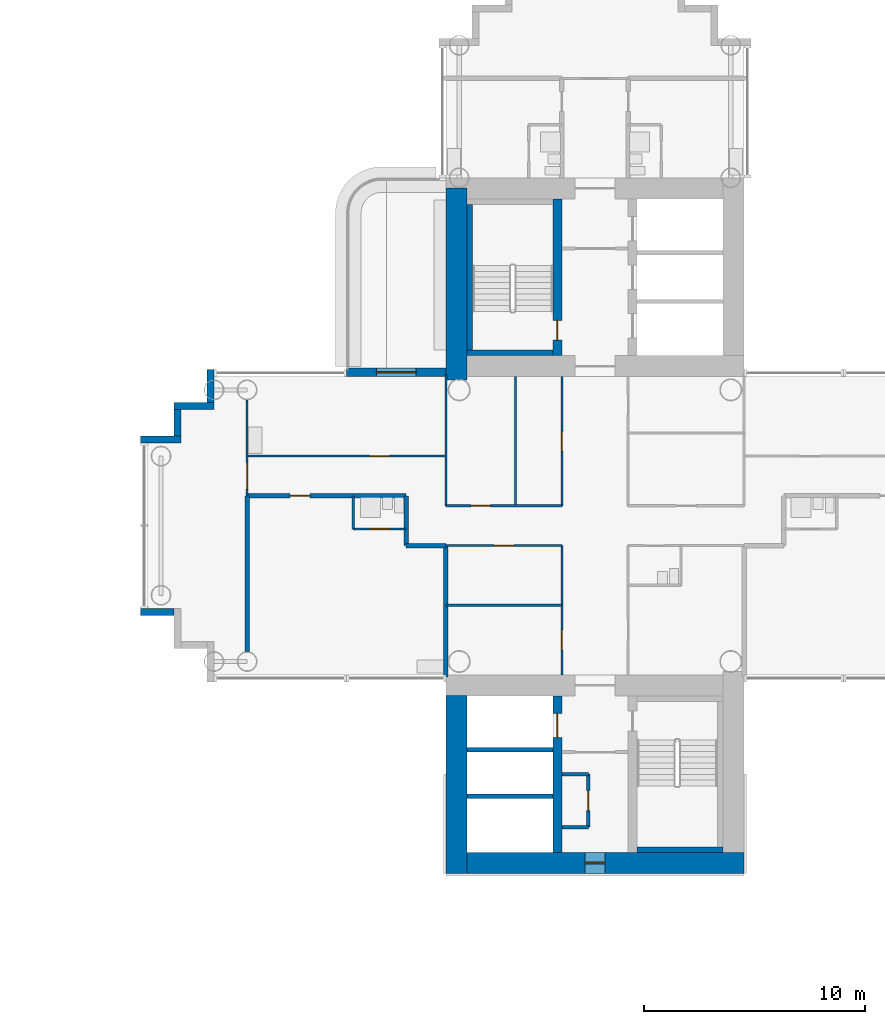
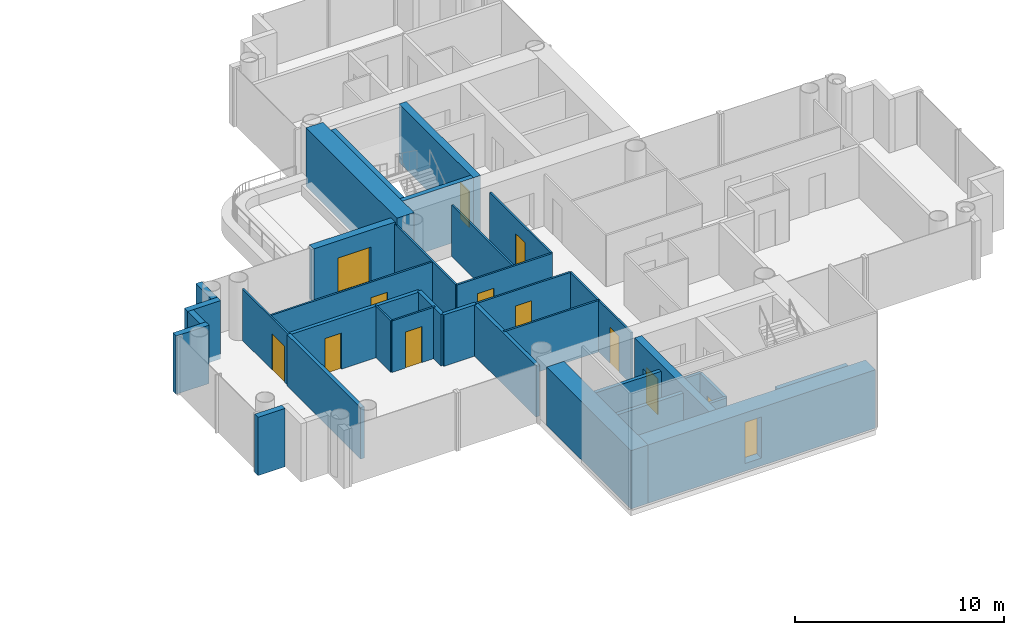
# One storey, part 12 of 21: 35 walls, 12 doors, 1 window, 13 openings.
"""IFC4 building model written with IfcOpenShell, lengths in metres."""

from ifc_helpers import new_model, si_unit, direction, frame, frame_2d, origin, place, context, subcontext, project, spatial, rectangle, extrude, material, layer, layer_set, type_object, element, fill, save


model = new_model("IFC4")

# Units and contexts
model_context = context("Model", 3, precision=1e-05, world=origin(), true_north=direction((0.0, 1.0)))
body_context = subcontext(model_context, "Body", "Model", "MODEL_VIEW")
ifc_project = project(units=[si_unit("LENGTHUNIT", "METRE"), si_unit("AREAUNIT", "SQUARE_METRE"), si_unit("VOLUMEUNIT", "CUBIC_METRE"), si_unit("PLANEANGLEUNIT", "RADIAN"), si_unit("MASSUNIT", "GRAM", prefix="KILO")], contexts=[model_context])

# Site, building, storey
site_placement = place(None, origin())
site = spatial("IfcSite", under=ifc_project, at=site_placement, CompositionType="ELEMENT")
building_placement = place(site_placement, origin())
building = spatial("IfcBuilding", under=site, at=building_placement, Name="Ipe Terrace Towers", CompositionType="ELEMENT")
storey_placement = place(building_placement, frame((0.0, 0.0, 103.800048828125)))
storey = spatial("IfcBuildingStorey", under=building, at=storey_placement, Name="L28", CompositionType="ELEMENT", Elevation=103.800048828125)

# Wall, opening, door
ifc_material_1 = material(Name="Concrete C40/50 with buff precast cladding", Category="concrete")
ifc_layer_1 = layer(ifc_material_1, 0.39990234375)
ifc_layer_set_1 = layer_set([ifc_layer_1], Name="BALCONY BAY WALL 400")
wall_type_1 = type_object("IfcWallType", Name="BALCONY BAY WALL 400", PredefinedType="STANDARD", material=ifc_layer_set_1)
wall_1_placement = place(storey_placement, frame((29.25, 6.949951171875, -0.02001953125), z_axis=(0.0, 0.0, 1.0), x_axis=(-1.0, 0.0, 0.0)))
wall_1 = element("IfcWall", 1, at=wall_1_placement, inside=storey, type_object=wall_type_1, Name="T2-W-L28-28a wall", PredefinedType="STANDARD", context=body_context, shape_type="SweptSolid", body=[
    extrude(rectangle(XDim=4.5, YDim=0.39990234375, at=frame_2d((2.25, 0.0))), origin(), (0.0, 0.0, 1.0), 3.119873046875),
])
opening_1_placement = place(wall_1_placement, frame((1.35009765625, 0.0, 0.02001953125)))
opening_1 = element("IfcOpeningElement", 2, at=opening_1_placement, cuts=wall_1, Name="Opening T2-D-L28-28", PredefinedType="OPENING", context=body_context, shape_type="SweptSolid", body=[
    extrude(rectangle(XDim=1.800048828125, YDim=2.10009765625, at=frame_2d((0.89990234375, 1.050048828125))), frame((0.0, 0.2099609375, 0.0), z_axis=(0.0, -1.0, 0.0), x_axis=(1.0, 0.0, 0.0)), (0.0, 0.0, 1.0), 0.419921875),
])
ifc_material_2 = material(Name="Aluminium alloy 6063-T6 framed glazed door", Category="aluminium")
door_type_1 = type_object("IfcDoorType", Name="BALCONY DOOR 1800 x 2100 RIGHT", OperationType="SINGLE_SWING_RIGHT", PredefinedType="DOOR", material=ifc_material_2)
door_1_placement = place(opening_1_placement, origin())
door_1 = element("IfcDoor", 3, at=door_1_placement, inside=storey, type_object=door_type_1, Name="DB2 door", OperationType="SINGLE_SWING_RIGHT", OverallHeight=2.10009765625, OverallWidth=1.800048828125, PredefinedType="DOOR", context=body_context, shape_type="SweptSolid", body=[
    extrude(rectangle(XDim=1.800048828125, YDim=2.10009765625, at=frame_2d((0.89990234375, 1.050048828125))), frame((0.0, 0.02490234375, 0.0), z_axis=(0.0, -1.0, 0.0), x_axis=(1.0, 0.0, 0.0)), (0.0, 0.0, 1.0), 0.050048828125),
])
fill(opening_1, door_1)

# Walls
ifc_material_3 = material(Name="Concrete C40/50 with buff precast cladding", Category="concrete")
ifc_layer_2 = layer(ifc_material_3, 0.320068359375)
ifc_layer_set_2 = layer_set([ifc_layer_2], Name="BUFF CLADDING WALL 320")
wall_type_2 = type_object("IfcWallType", Name="BUFF CLADDING WALL 320", PredefinedType="STANDARD", material=ifc_layer_set_2)
wall_2_placement = place(storey_placement, frame((18.590087890625, 7.070068359375, -0.300048828125), z_axis=(0.0, 0.0, 1.0), x_axis=(0.0, -1.0, 0.0)))
element("IfcWall", 4, at=wall_2_placement, inside=storey, type_object=wall_type_2, Name="T2-W-L28-30a wall", PredefinedType="STANDARD", context=body_context, shape_type="SweptSolid", body=[
    extrude(rectangle(XDim=1.5, YDim=0.320068359375, at=frame_2d((0.75, 0.0))), origin(), (0.0, 0.0, 1.0), 3.39990234375),
])
wall_3_placement = place(storey_placement, frame((18.75, 5.409912109375, -0.300048828125), z_axis=(0.0, 0.0, 1.0), x_axis=(-1.0, 0.0, 0.0)))
element("IfcWall", 5, at=wall_3_placement, inside=storey, type_object=wall_type_2, Name="T2-W-L28-31a wall", PredefinedType="STANDARD", context=body_context, shape_type="SweptSolid", body=[
    extrude(rectangle(XDim=1.820068359375, YDim=0.320068359375, at=frame_2d((0.91015625, 0.0))), origin(), (0.0, 0.0, 1.0), 3.39990234375),
])
wall_4_placement = place(storey_placement, frame((17.090087890625, 5.25, -0.300048828125), z_axis=(0.0, 0.0, 1.0), x_axis=(0.0, -1.0, 0.0)))
element("IfcWall", 6, at=wall_4_placement, inside=storey, type_object=wall_type_2, Name="T2-W-L28-32a wall", PredefinedType="STANDARD", context=body_context, shape_type="SweptSolid", body=[
    extrude(rectangle(XDim=1.179931640625, YDim=0.320068359375, at=frame_2d((0.58984375, 0.0))), origin(), (0.0, 0.0, 1.0), 3.39990234375),
])
wall_5_placement = place(storey_placement, frame((17.25, 3.909912109375, -0.300048828125), z_axis=(0.0, 0.0, 1.0), x_axis=(-1.0, 0.0, 0.0)))
element("IfcWall", 7, at=wall_5_placement, inside=storey, type_object=wall_type_2, Name="T2-W-L28-33a wall", PredefinedType="STANDARD", context=body_context, shape_type="SweptSolid", body=[
    extrude(rectangle(XDim=1.820068359375, YDim=0.320068359375, at=frame_2d((0.91015625, 0.0))), origin(), (0.0, 0.0, 1.0), 3.39990234375),
])
wall_6_placement = place(storey_placement, frame((15.429931640625, -3.909912109375, -0.300048828125), z_axis=(0.0, 0.0, 1.0), x_axis=(1.0, 0.0, 0.0)))
element("IfcWall", 8, at=wall_6_placement, inside=storey, type_object=wall_type_2, Name="T2-W-L28-35a wall", PredefinedType="STANDARD", context=body_context, shape_type="SweptSolid", body=[
    extrude(rectangle(XDim=1.5, YDim=0.320068359375, at=frame_2d((0.75, 0.0))), origin(), (0.0, 0.0, 1.0), 3.39990234375),
])
ifc_material_4 = material(Name="Gypsum board partition", Category="plasterboard")
ifc_layer_3 = layer(ifc_material_4, 0.10009765625)
ifc_layer_set_3 = layer_set([ifc_layer_3], Name="Gypsum board partition 100 mm")
wall_type_3 = type_object("IfcWallType", Name="Gypsum board partition 100 mm", PredefinedType="PARTITIONING", material=ifc_layer_set_3)
wall_7_placement = place(storey_placement, frame((34.5, -3.60009765625, 0.0), z_axis=(0.0, 0.0, 1.0), x_axis=(-1.0, 0.0, 0.0)))
element("IfcWall", 9, at=wall_7_placement, inside=storey, type_object=wall_type_3, Name="Gypsum board partition T2 L28 W01", PredefinedType="PARTITIONING", context=body_context, shape_type="SweptSolid", body=[
    extrude(rectangle(XDim=5.25, YDim=0.10009765625, at=frame_2d((2.625, 0.0))), origin(), (0.0, 0.0, 1.0), 3.0),
])

# Wall, opening, door
wall_8_placement = place(storey_placement, frame((34.5, -0.89990234375, 0.0), z_axis=(0.0, 0.0, 1.0), x_axis=(-1.0, 0.0, 0.0)))
wall_8 = element("IfcWall", 10, at=wall_8_placement, inside=storey, type_object=wall_type_3, Name="Gypsum board partition T2 L28 W04", PredefinedType="PARTITIONING", context=body_context, shape_type="SweptSolid", body=[
    extrude(rectangle(XDim=5.25, YDim=0.10009765625, at=frame_2d((2.625, 0.0))), origin(), (0.0, 0.0, 1.0), 3.0),
])
opening_2_placement = place(wall_8_placement, frame((2.175048828125, 0.0, 0.0)))
opening_2 = element("IfcOpeningElement", 11, at=opening_2_placement, cuts=wall_8, Name="Opening T2-Z2E-04", PredefinedType="OPENING", context=body_context, shape_type="SweptSolid", body=[
    extrude(rectangle(XDim=0.89990234375, YDim=2.10009765625, at=frame_2d((0.449951171875, 1.050048828125))), frame((0.0, 0.06005859375, 0.0), z_axis=(0.0, -1.0, 0.0), x_axis=(1.0, 0.0, 0.0)), (0.0, 0.0, 1.0), 0.1201171875),
])
ifc_material_5 = material(Name="Timber door leaf", Category="wood")
door_type_2 = type_object("IfcDoorType", Name="Lounge door 900 x 2100", OperationType="NOTDEFINED", PredefinedType="DOOR", material=ifc_material_5)
door_2_placement = place(opening_2_placement, origin())
door_2 = element("IfcDoor", 12, at=door_2_placement, inside=storey, type_object=door_type_2, Name="Lounge door T2-Z2E-04", OperationType="SINGLE_SWING_LEFT", OverallHeight=2.10009765625, OverallWidth=0.89990234375, PredefinedType="DOOR", context=body_context, shape_type="SweptSolid", body=[
    extrude(rectangle(XDim=0.89990234375, YDim=2.10009765625, at=frame_2d((0.449951171875, 1.050048828125))), frame((0.0, 0.02490234375, 0.0), z_axis=(0.0, -1.0, 0.0), x_axis=(1.0, 0.0, 0.0)), (0.0, 0.0, 1.0), 0.050048828125),
])
fill(opening_2, door_2)

wall_9_placement = place(storey_placement, frame((27.449951171875, -0.14990234375, 0.0), z_axis=(0.0, 0.0, 1.0), x_axis=(-1.0, 0.0, 0.0)))
wall_9 = element("IfcWall", 13, at=wall_9_placement, inside=storey, type_object=wall_type_3, Name="Gypsum board partition T2 L28 W08", PredefinedType="PARTITIONING", context=body_context, shape_type="SweptSolid", body=[
    extrude(rectangle(XDim=2.39990234375, YDim=0.10009765625, at=frame_2d((1.199951171875, 0.0))), origin(), (0.0, 0.0, 1.0), 3.0),
])
opening_3_placement = place(wall_9_placement, frame((0.75, 0.0, 0.0)))
opening_3 = element("IfcOpeningElement", 14, at=opening_3_placement, cuts=wall_9, Name="Opening T2-Z2E-10", PredefinedType="OPENING", context=body_context, shape_type="SweptSolid", body=[
    extrude(rectangle(XDim=0.89990234375, YDim=2.10009765625, at=frame_2d((0.449951171875, 1.050048828125))), frame((0.0, 0.06005859375, 0.0), z_axis=(0.0, -1.0, 0.0), x_axis=(1.0, 0.0, 0.0)), (0.0, 0.0, 1.0), 0.1201171875),
])
ifc_material_6 = material(Name="Timber door leaf", Category="wood")
door_type_3 = type_object("IfcDoorType", Name="Bathroom door 900 x 2100", OperationType="NOTDEFINED", PredefinedType="DOOR", material=ifc_material_6)
door_3_placement = place(opening_3_placement, origin())
door_3 = element("IfcDoor", 15, at=door_3_placement, inside=storey, type_object=door_type_3, Name="Bathroom door T2-Z2E-10", OperationType="SINGLE_SWING_RIGHT", OverallHeight=2.10009765625, OverallWidth=0.89990234375, PredefinedType="DOOR", context=body_context, shape_type="SweptSolid", body=[
    extrude(rectangle(XDim=0.89990234375, YDim=2.10009765625, at=frame_2d((0.449951171875, 1.050048828125))), frame((0.0, 0.02490234375, 0.0), z_axis=(0.0, -1.0, 0.0), x_axis=(1.0, 0.0, 0.0)), (0.0, 0.0, 1.0), 0.050048828125),
])
fill(opening_3, door_3)

wall_10_placement = place(storey_placement, frame((34.5, 0.89990234375, 0.0), z_axis=(0.0, 0.0, 1.0), x_axis=(-1.0, 0.0, 0.0)))
wall_10 = element("IfcWall", 16, at=wall_10_placement, inside=storey, type_object=wall_type_3, Name="Gypsum board partition T2 L28 W10", PredefinedType="PARTITIONING", context=body_context, shape_type="SweptSolid", body=[
    extrude(rectangle(XDim=5.25, YDim=0.10009765625, at=frame_2d((2.625, 0.0))), origin(), (0.0, 0.0, 1.0), 3.0),
])
opening_4_placement = place(wall_10_placement, frame((3.22509765625, 0.0, 0.0)))
opening_4 = element("IfcOpeningElement", 17, at=opening_4_placement, cuts=wall_10, Name="Opening T2-Z2E-03", PredefinedType="OPENING", context=body_context, shape_type="SweptSolid", body=[
    extrude(rectangle(XDim=0.89990234375, YDim=2.10009765625, at=frame_2d((0.449951171875, 1.050048828125))), frame((0.0, 0.06005859375, 0.0), z_axis=(0.0, -1.0, 0.0), x_axis=(1.0, 0.0, 0.0)), (0.0, 0.0, 1.0), 0.1201171875),
])
door_4_placement = place(opening_4_placement, origin())
door_4 = element("IfcDoor", 18, at=door_4_placement, inside=storey, type_object=door_type_2, Name="Lounge door T2-Z2E-03", OperationType="SINGLE_SWING_RIGHT", OverallHeight=2.10009765625, OverallWidth=0.89990234375, PredefinedType="DOOR", context=body_context, shape_type="SweptSolid", body=[
    extrude(rectangle(XDim=0.89990234375, YDim=2.10009765625, at=frame_2d((0.449951171875, 1.050048828125))), frame((0.0, 0.02490234375, 0.0), z_axis=(0.0, -1.0, 0.0), x_axis=(1.0, 0.0, 0.0)), (0.0, 0.0, 1.0), 0.050048828125),
])
fill(opening_4, door_4)

wall_11_placement = place(storey_placement, frame((29.25, 3.14990234375, 0.0), z_axis=(0.0, 0.0, 1.0), x_axis=(-1.0, 0.0, 0.0)))
wall_11 = element("IfcWall", 19, at=wall_11_placement, inside=storey, type_object=wall_type_3, Name="Gypsum board partition T2 L28 W14", PredefinedType="PARTITIONING", context=body_context, shape_type="SweptSolid", body=[
    extrude(rectangle(XDim=9.0, YDim=0.10009765625, at=frame_2d((4.5, 0.0))), origin(), (0.0, 0.0, 1.0), 3.0),
])
opening_5_placement = place(wall_11_placement, frame((2.550048828125, 0.0, 0.0)))
opening_5 = element("IfcOpeningElement", 20, at=opening_5_placement, cuts=wall_11, Name="Opening T2-Z2E-11", PredefinedType="OPENING", context=body_context, shape_type="SweptSolid", body=[
    extrude(rectangle(XDim=0.89990234375, YDim=2.10009765625, at=frame_2d((0.449951171875, 1.050048828125))), frame((0.0, 0.06005859375, 0.0), z_axis=(0.0, -1.0, 0.0), x_axis=(1.0, 0.0, 0.0)), (0.0, 0.0, 1.0), 0.1201171875),
])
door_5_placement = place(opening_5_placement, origin())
door_5 = element("IfcDoor", 21, at=door_5_placement, inside=storey, type_object=door_type_2, Name="Lounge door T2-Z2E-11", OperationType="SINGLE_SWING_LEFT", OverallHeight=2.10009765625, OverallWidth=0.89990234375, PredefinedType="DOOR", context=body_context, shape_type="SweptSolid", body=[
    extrude(rectangle(XDim=0.89990234375, YDim=2.10009765625, at=frame_2d((0.449951171875, 1.050048828125))), frame((0.0, 0.02490234375, 0.0), z_axis=(0.0, -1.0, 0.0), x_axis=(1.0, 0.0, 0.0)), (0.0, 0.0, 1.0), 0.050048828125),
])
fill(opening_5, door_5)

wall_12_placement = place(storey_placement, frame((34.5, -6.75, 0.0), z_axis=(0.0, 0.0, 1.0), x_axis=(0.0, 1.0, 0.0)))
wall_12 = element("IfcWall", 22, at=wall_12_placement, inside=storey, type_object=wall_type_3, Name="Gypsum board partition T2 L28 W32", PredefinedType="PARTITIONING", context=body_context, shape_type="SweptSolid", body=[
    extrude(rectangle(XDim=5.85009765625, YDim=0.10009765625, at=frame_2d((2.925048828125, 0.0))), origin(), (0.0, 0.0, 1.0), 3.0),
])
opening_6_placement = place(wall_12_placement, frame((1.125, 0.0, 0.0)))
opening_6 = element("IfcOpeningElement", 23, at=opening_6_placement, cuts=wall_12, Name="Opening T2-Z2E-05", PredefinedType="OPENING", context=body_context, shape_type="SweptSolid", body=[
    extrude(rectangle(XDim=0.89990234375, YDim=2.10009765625, at=frame_2d((0.449951171875, 1.050048828125))), frame((0.0, 0.06005859375, 0.0), z_axis=(0.0, -1.0, 0.0), x_axis=(1.0, 0.0, 0.0)), (0.0, 0.0, 1.0), 0.1201171875),
])
door_6_placement = place(opening_6_placement, origin())
door_6 = element("IfcDoor", 24, at=door_6_placement, inside=storey, type_object=door_type_2, Name="Lounge door T2-Z2E-05", OperationType="SINGLE_SWING_RIGHT", OverallHeight=2.10009765625, OverallWidth=0.89990234375, PredefinedType="DOOR", context=body_context, shape_type="SweptSolid", body=[
    extrude(rectangle(XDim=0.89990234375, YDim=2.10009765625, at=frame_2d((0.449951171875, 1.050048828125))), frame((0.0, 0.02490234375, 0.0), z_axis=(0.0, -1.0, 0.0), x_axis=(1.0, 0.0, 0.0)), (0.0, 0.0, 1.0), 0.050048828125),
])
fill(opening_6, door_6)

wall_13_placement = place(storey_placement, frame((34.5, 0.89990234375, 0.0), z_axis=(0.0, 0.0, 1.0), x_axis=(0.0, 1.0, 0.0)))
wall_13 = element("IfcWall", 25, at=wall_13_placement, inside=storey, type_object=wall_type_3, Name="Gypsum board partition T2 L28 W33", PredefinedType="PARTITIONING", context=body_context, shape_type="SweptSolid", body=[
    extrude(rectangle(XDim=5.85009765625, YDim=0.10009765625, at=frame_2d((2.925048828125, 0.0))), origin(), (0.0, 0.0, 1.0), 3.0),
])
opening_7_placement = place(wall_13_placement, frame((2.47509765625, 0.0, 0.0)))
opening_7 = element("IfcOpeningElement", 26, at=opening_7_placement, cuts=wall_13, Name="Opening T2-Z2E-02", PredefinedType="OPENING", context=body_context, shape_type="SweptSolid", body=[
    extrude(rectangle(XDim=0.89990234375, YDim=2.10009765625, at=frame_2d((0.449951171875, 1.050048828125))), frame((0.0, 0.06005859375, 0.0), z_axis=(0.0, -1.0, 0.0), x_axis=(1.0, 0.0, 0.0)), (0.0, 0.0, 1.0), 0.1201171875),
])
door_7_placement = place(opening_7_placement, origin())
door_7 = element("IfcDoor", 27, at=door_7_placement, inside=storey, type_object=door_type_2, Name="Lounge door T2-Z2E-02", OperationType="SINGLE_SWING_LEFT", OverallHeight=2.10009765625, OverallWidth=0.89990234375, PredefinedType="DOOR", context=body_context, shape_type="SweptSolid", body=[
    extrude(rectangle(XDim=0.89990234375, YDim=2.10009765625, at=frame_2d((0.449951171875, 1.050048828125))), frame((0.0, 0.02490234375, 0.0), z_axis=(0.0, -1.0, 0.0), x_axis=(1.0, 0.0, 0.0)), (0.0, 0.0, 1.0), 0.050048828125),
])
fill(opening_7, door_7)

# Walls
wall_14_placement = place(storey_placement, frame((32.39990234375, 0.89990234375, 0.0), z_axis=(0.0, 0.0, 1.0), x_axis=(0.0, 1.0, 0.0)))
element("IfcWall", 28, at=wall_14_placement, inside=storey, type_object=wall_type_3, Name="Gypsum board partition T2 L28 W36", PredefinedType="PARTITIONING", context=body_context, shape_type="SweptSolid", body=[
    extrude(rectangle(XDim=5.85009765625, YDim=0.10009765625, at=frame_2d((2.925048828125, 0.0))), origin(), (0.0, 0.0, 1.0), 3.0),
])
wall_15_placement = place(storey_placement, frame((29.25, 0.89990234375, 0.0), z_axis=(0.0, 0.0, 1.0), x_axis=(0.0, 1.0, 0.0)))
element("IfcWall", 29, at=wall_15_placement, inside=storey, type_object=wall_type_3, Name="Gypsum board partition T2 L28 W37", PredefinedType="PARTITIONING", context=body_context, shape_type="SweptSolid", body=[
    extrude(rectangle(XDim=5.9501953125, YDim=0.10009765625, at=frame_2d((2.97509765625, 0.0))), origin(), (0.0, 0.0, 1.0), 3.0),
])
wall_16_placement = place(storey_placement, frame((25.050048828125, -0.14990234375, 0.0), z_axis=(0.0, 0.0, 1.0), x_axis=(0.0, 1.0, 0.0)))
element("IfcWall", 30, at=wall_16_placement, inside=storey, type_object=wall_type_3, Name="Gypsum board partition T2 L28 W40", PredefinedType="PARTITIONING", context=body_context, shape_type="SweptSolid", body=[
    extrude(rectangle(XDim=1.5, YDim=0.10009765625, at=frame_2d((0.75, 0.0))), origin(), (0.0, 0.0, 1.0), 3.0),
])

# Wall, opening, door
wall_17_placement = place(storey_placement, frame((20.25, 1.35009765625, 0.0), z_axis=(0.0, 0.0, 1.0), x_axis=(0.0, 1.0, 0.0)))
wall_17 = element("IfcWall", 31, at=wall_17_placement, inside=storey, type_object=wall_type_3, Name="Gypsum board partition T2 L28 W41", PredefinedType="PARTITIONING", context=body_context, shape_type="SweptSolid", body=[
    extrude(rectangle(XDim=4.349853515625, YDim=0.10009765625, at=frame_2d((2.1748046875, 0.0))), origin(), (0.0, 0.0, 1.0), 3.0),
])
opening_8_placement = place(wall_17_placement, frame((0.300048828125, 0.0, 0.0)))
opening_8 = element("IfcOpeningElement", 32, at=opening_8_placement, cuts=wall_17, Name="Opening T2-Z2E-12", PredefinedType="OPENING", context=body_context, shape_type="SweptSolid", body=[
    extrude(rectangle(XDim=1.199951171875, YDim=2.10009765625, at=frame_2d((0.60009765625, 1.050048828125))), frame((0.0, 0.06005859375, 0.0), z_axis=(0.0, -1.0, 0.0), x_axis=(1.0, 0.0, 0.0)), (0.0, 0.0, 1.0), 0.1201171875),
])
ifc_material_7 = material(Name="Timber door leaf", Category="wood")
door_type_4 = type_object("IfcDoorType", Name="Lounge door 1200 x 2100", OperationType="NOTDEFINED", PredefinedType="DOOR", material=ifc_material_7)
door_8_placement = place(opening_8_placement, origin())
door_8 = element("IfcDoor", 33, at=door_8_placement, inside=storey, type_object=door_type_4, Name="Lounge door T2-Z2E-12", OperationType="SINGLE_SWING_RIGHT", OverallHeight=2.10009765625, OverallWidth=1.199951171875, PredefinedType="DOOR", context=body_context, shape_type="SweptSolid", body=[
    extrude(rectangle(XDim=1.199951171875, YDim=2.10009765625, at=frame_2d((0.60009765625, 1.050048828125))), frame((0.0, 0.02490234375, 0.0), z_axis=(0.0, -1.0, 0.0), x_axis=(1.0, 0.0, 0.0)), (0.0, 0.0, 1.0), 0.050048828125),
])
fill(opening_8, door_8)

ifc_material_8 = material(Name="Gypsum board partition", Category="plasterboard")
ifc_layer_4 = layer(ifc_material_8, 0.14990234375)
ifc_layer_set_4 = layer_set([ifc_layer_4], Name="Gypsum board partition 150 mm")
wall_type_4 = type_object("IfcWallType", Name="Gypsum board partition 150 mm", PredefinedType="PARTITIONING", material=ifc_layer_set_4)
wall_18_placement = place(storey_placement, frame((35.699951171875, -11.25, 0.0), z_axis=(0.0, 0.0, 1.0), x_axis=(0.0, -1.0, 0.0)))
wall_18 = element("IfcWall", 34, at=wall_18_placement, inside=storey, type_object=wall_type_4, Name="Gypsum board partition T2 L28 t2c2-cup-s-f", PredefinedType="PARTITIONING", context=body_context, shape_type="SweptSolid", body=[
    extrude(rectangle(XDim=2.39990234375, YDim=0.14990234375, at=frame_2d((1.199951171875, 0.0))), origin(), (0.0, 0.0, 1.0), 3.0),
])
opening_9_placement = place(wall_18_placement, frame((0.75, 0.0, 0.0)))
opening_9 = element("IfcOpeningElement", 35, at=opening_9_placement, cuts=wall_18, Name="Opening T2C2-SC", PredefinedType="OPENING", context=body_context, shape_type="SweptSolid", body=[
    extrude(rectangle(XDim=0.89990234375, YDim=2.10009765625, at=frame_2d((0.449951171875, 1.050048828125))), frame((0.0, 0.0849609375, 0.0), z_axis=(0.0, -1.0, 0.0), x_axis=(1.0, 0.0, 0.0)), (0.0, 0.0, 1.0), 0.169921875),
])
ifc_material_9 = material(Name="Fire-rated timber door leaf", Category="wood")
door_type_5 = type_object("IfcDoorType", Name="Service door 900 x 2100 FD30S", OperationType="NOTDEFINED", PredefinedType="DOOR", material=ifc_material_9)
door_9_placement = place(opening_9_placement, origin())
door_9 = element("IfcDoor", 36, at=door_9_placement, inside=storey, type_object=door_type_5, Name="Service door T2C2-SC", OperationType="SINGLE_SWING_LEFT", OverallHeight=2.10009765625, OverallWidth=0.89990234375, PredefinedType="DOOR", context=body_context, shape_type="SweptSolid", body=[
    extrude(rectangle(XDim=0.89990234375, YDim=2.10009765625, at=frame_2d((0.449951171875, 1.050048828125))), frame((0.0, 0.02490234375, 0.0), z_axis=(0.0, -1.0, 0.0), x_axis=(1.0, 0.0, 0.0)), (0.0, 0.0, 1.0), 0.050048828125),
])
fill(opening_9, door_9)

# Walls
for number, where, z_axis, x_axis, name in (
    (37, (35.699951171875, -11.25, 0.0), (0.0, 0.0, 1.0), (-1.0, 0.0, 0.0), "Gypsum board partition T2 L28 t2c2-cup-s-a"),
    (38, (35.699951171875, -13.64990234375, 0.0), (0.0, 0.0, 1.0), (-1.0, 0.0, 0.0), "Gypsum board partition T2 L28 t2c2-cup-s-b"),
):
    element("IfcWall", number, at=place(storey_placement, frame(where, z_axis=z_axis, x_axis=x_axis)), inside=storey, type_object=wall_type_4, Name=name, PredefinedType="PARTITIONING", context=body_context, shape_type="SweptSolid", body=[
        extrude(rectangle(XDim=1.199951171875, YDim=0.14990234375, at=frame_2d((0.60009765625, 0.0))), origin(), (0.0, 0.0, 1.0), 3.0),
    ])
ifc_material_10 = material(Name="Gypsum board party wall", Category="plasterboard")
ifc_layer_5 = layer(ifc_material_10, 0.199951171875)
ifc_layer_set_5 = layer_set([ifc_layer_5], Name="Gypsum board party wall 200 mm")
wall_type_5 = type_object("IfcWallType", Name="Gypsum board party wall 200 mm", PredefinedType="SOLIDWALL", material=ifc_layer_set_5)
for number, where, z_axis, x_axis, name in (
    (39, (30.199951171875, -10.14990234375, 0.0), (0.0, 0.0, 1.0), (1.0, 0.0, 0.0), "Gypsum board party wall T2 L28 t2c2-shaft-div1"),
    (40, (30.199951171875, -12.25, 0.0), (0.0, 0.0, 1.0), (1.0, 0.0, 0.0), "Gypsum board party wall T2 L28 t2c2-shaft-div2"),
):
    element("IfcWall", number, at=place(storey_placement, frame(where, z_axis=z_axis, x_axis=x_axis)), inside=storey, type_object=wall_type_5, Name=name, PredefinedType="SOLIDWALL", context=body_context, shape_type="SweptSolid", body=[
        extrude(rectangle(XDim=3.900146484375, YDim=0.199951171875, at=frame_2d((1.9501953125, 0.0))), origin(), (0.0, 0.0, 1.0), 3.0),
    ])
wall_19_placement = place(storey_placement, frame((29.25, -0.89990234375, 0.0), z_axis=(0.0, 0.0, 1.0), x_axis=(-1.0, 0.0, 0.0)))
element("IfcWall", 41, at=wall_19_placement, inside=storey, type_object=wall_type_5, Name="Gypsum board party wall T2 L28 W06", PredefinedType="SOLIDWALL", context=body_context, shape_type="SweptSolid", body=[
    extrude(rectangle(XDim=1.800048828125, YDim=0.199951171875, at=frame_2d((0.89990234375, 0.0))), origin(), (0.0, 0.0, 1.0), 3.0),
])

# Wall, opening, door
wall_20_placement = place(storey_placement, frame((27.449951171875, 1.35009765625, 0.0), z_axis=(0.0, 0.0, 1.0), x_axis=(-1.0, 0.0, 0.0)))
wall_20 = element("IfcWall", 42, at=wall_20_placement, inside=storey, type_object=wall_type_5, Name="Gypsum board party wall T2 L28 W12", PredefinedType="SOLIDWALL", context=body_context, shape_type="SweptSolid", body=[
    extrude(rectangle(XDim=7.199951171875, YDim=0.199951171875, at=frame_2d((3.60009765625, 0.0))), origin(), (0.0, 0.0, 1.0), 3.0),
])
opening_10_placement = place(wall_20_placement, frame((4.35009765625, 0.0, 0.0)))
opening_10 = element("IfcOpeningElement", 43, at=opening_10_placement, cuts=wall_20, Name="Opening T2-Z2E-09", PredefinedType="OPENING", context=body_context, shape_type="SweptSolid", body=[
    extrude(rectangle(XDim=0.89990234375, YDim=2.10009765625, at=frame_2d((0.449951171875, 1.050048828125))), frame((0.0, 0.10986328125, 0.0), z_axis=(0.0, -1.0, 0.0), x_axis=(1.0, 0.0, 0.0)), (0.0, 0.0, 1.0), 0.219970703125),
])
ifc_material_11 = material(Name="Fire-rated timber door leaf", Category="wood")
door_type_6 = type_object("IfcDoorType", Name="Flat entrance door 900 x 2100 FD30S", OperationType="NOTDEFINED", PredefinedType="DOOR", material=ifc_material_11)
door_10_placement = place(opening_10_placement, origin())
door_10 = element("IfcDoor", 44, at=door_10_placement, inside=storey, type_object=door_type_6, Name="Flat entrance door T2-Z2E-09", OperationType="SINGLE_SWING_LEFT", OverallHeight=2.10009765625, OverallWidth=0.89990234375, PredefinedType="DOOR", context=body_context, shape_type="SweptSolid", body=[
    extrude(rectangle(XDim=0.89990234375, YDim=2.10009765625, at=frame_2d((0.449951171875, 1.050048828125))), frame((0.0, 0.02490234375, 0.0), z_axis=(0.0, -1.0, 0.0), x_axis=(1.0, 0.0, 0.0)), (0.0, 0.0, 1.0), 0.050048828125),
])
fill(opening_10, door_10)

# Walls
wall_21_placement = place(storey_placement, frame((29.25, -6.85009765625, 0.0), z_axis=(0.0, 0.0, 1.0), x_axis=(0.0, 1.0, 0.0)))
element("IfcWall", 45, at=wall_21_placement, inside=storey, type_object=wall_type_5, Name="Gypsum board party wall T2 L28 W38", PredefinedType="SOLIDWALL", context=body_context, shape_type="SweptSolid", body=[
    extrude(rectangle(XDim=5.9501953125, YDim=0.199951171875, at=frame_2d((2.97509765625, 0.0))), origin(), (0.0, 0.0, 1.0), 3.0),
])
wall_22_placement = place(storey_placement, frame((27.449951171875, -0.89990234375, 0.0), z_axis=(0.0, 0.0, 1.0), x_axis=(0.0, 1.0, 0.0)))
element("IfcWall", 46, at=wall_22_placement, inside=storey, type_object=wall_type_5, Name="Gypsum board party wall T2 L28 W39", PredefinedType="SOLIDWALL", context=body_context, shape_type="SweptSolid", body=[
    extrude(rectangle(XDim=2.25, YDim=0.199951171875, at=frame_2d((1.125, 0.0))), origin(), (0.0, 0.0, 1.0), 3.0),
])
wall_23_placement = place(storey_placement, frame((20.25, -5.699951171875, 0.0), z_axis=(0.0, 0.0, 1.0), x_axis=(0.0, 1.0, 0.0)))
element("IfcWall", 47, at=wall_23_placement, inside=storey, type_object=wall_type_5, Name="Gypsum board party wall T2 L28 W42", PredefinedType="SOLIDWALL", context=body_context, shape_type="SweptSolid", body=[
    extrude(rectangle(XDim=7.050048828125, YDim=0.199951171875, at=frame_2d((3.52490234375, 0.0))), origin(), (0.0, 0.0, 1.0), 3.0),
])
ifc_material_12 = material(Name="Concrete C50/60", Category="concrete")
ifc_layer_6 = layer(ifc_material_12, 0.25)
ifc_layer_set_6 = layer_set([ifc_layer_6], Name="RW250 CORE INFILL WALL 250 C50-60")
wall_type_6 = type_object("IfcWallType", Name="RW250 CORE INFILL WALL 250 C50-60", PredefinedType="SHEAR", material=ifc_layer_set_6)
wall_24_placement = place(storey_placement, frame((30.324951171875, 7.949951171875, 0.0), z_axis=(0.0, 0.0, 1.0), x_axis=(0.0, 1.0, 0.0)))
element("IfcWall", 48, at=wall_24_placement, inside=storey, type_object=wall_type_6, Name="Core infill wall T2-C1-back", PredefinedType="SHEAR", context=body_context, shape_type="SweptSolid", body=[
    extrude(rectangle(XDim=6.60009765625, YDim=0.25, at=frame_2d((3.300048828125, 0.0))), origin(), (0.0, 0.0, 1.0), 3.39990234375),
])
for number, where, z_axis, x_axis, name in (
    (49, (34.10009765625, 7.824951171875, 0.0), (0.0, 0.0, 1.0), (-1.0, 0.0, 0.0), "Core infill wall T2-C1-near"),
    (50, (37.89990234375, -14.675048828125, 0.0), (0.0, 0.0, 1.0), (1.0, 0.0, 0.0), "Core infill wall T2-C2-far"),
):
    element("IfcWall", number, at=place(storey_placement, frame(where, z_axis=z_axis, x_axis=x_axis)), inside=storey, type_object=wall_type_6, Name=name, PredefinedType="SHEAR", context=body_context, shape_type="SweptSolid", body=[
        extrude(rectangle(XDim=3.900146484375, YDim=0.25, at=frame_2d((1.9501953125, 0.0))), origin(), (0.0, 0.0, 1.0), 3.39990234375),
    ])

# Wall, opening, door
ifc_material_13 = material(Name="Concrete C50/60", Category="concrete")
ifc_layer_7 = layer(ifc_material_13, 0.39990234375)
ifc_layer_set_7 = layer_set([ifc_layer_7], Name="RW400 CORE SPINE WALL 400 C50-60")
wall_type_7 = type_object("IfcWallType", Name="RW400 CORE SPINE WALL 400 C50-60", PredefinedType="SHEAR", material=ifc_layer_set_7)
wall_25_placement = place(storey_placement, frame((34.300048828125, 7.699951171875, 0.0), z_axis=(0.0, 0.0, 1.0), x_axis=(0.0, 1.0, 0.0)))
wall_25 = element("IfcWall", 51, at=wall_25_placement, inside=storey, type_object=wall_type_7, Name="Core spine wall T2-C1-Z2-SW1", PredefinedType="SHEAR", context=body_context, shape_type="SweptSolid", body=[
    extrude(rectangle(XDim=7.10009765625, YDim=0.39990234375, at=frame_2d((3.550048828125, 0.0))), origin(), (0.0, 0.0, 1.0), 3.39990234375),
])
opening_11_placement = place(wall_25_placement, frame((0.699951171875, 0.0, 0.0)))
opening_11 = element("IfcOpeningElement", 52, at=opening_11_placement, cuts=wall_25, Name="Opening T2C1-SD", PredefinedType="OPENING", context=body_context, shape_type="SweptSolid", body=[
    extrude(rectangle(XDim=0.89990234375, YDim=2.10009765625, at=frame_2d((0.449951171875, 1.050048828125))), frame((0.0, 0.2099609375, 0.0), z_axis=(0.0, -1.0, 0.0), x_axis=(1.0, 0.0, 0.0)), (0.0, 0.0, 1.0), 0.419921875),
])
ifc_material_14 = material(Name="Fire-rated timber door leaf", Category="wood")
door_type_7 = type_object("IfcDoorType", Name="Stair door 900 x 2100 FD60", OperationType="NOTDEFINED", PredefinedType="DOOR", material=ifc_material_14)
door_11_placement = place(opening_11_placement, origin())
door_11 = element("IfcDoor", 53, at=door_11_placement, inside=storey, type_object=door_type_7, Name="Stair door T2C1-SD", OperationType="SINGLE_SWING_LEFT", OverallHeight=2.10009765625, OverallWidth=0.89990234375, PredefinedType="DOOR", context=body_context, shape_type="SweptSolid", body=[
    extrude(rectangle(XDim=0.89990234375, YDim=2.10009765625, at=frame_2d((0.449951171875, 1.050048828125))), frame((0.0, 0.02490234375, 0.0), z_axis=(0.0, -1.0, 0.0), x_axis=(1.0, 0.0, 0.0)), (0.0, 0.0, 1.0), 0.050048828125),
])
fill(opening_11, door_11)

wall_26_placement = place(storey_placement, frame((34.300048828125, -14.800048828125, 0.0), z_axis=(0.0, 0.0, 1.0), x_axis=(0.0, 1.0, 0.0)))
wall_26 = element("IfcWall", 54, at=wall_26_placement, inside=storey, type_object=wall_type_7, Name="Core spine wall T2-C2-Z2-SW1", PredefinedType="SHEAR", context=body_context, shape_type="SweptSolid", body=[
    extrude(rectangle(XDim=7.10009765625, YDim=0.39990234375, at=frame_2d((3.550048828125, 0.0))), origin(), (0.0, 0.0, 1.0), 3.39990234375),
])
opening_12_placement = place(wall_26_placement, frame((5.199951171875, 0.0, 0.0)))
opening_12 = element("IfcOpeningElement", 55, at=opening_12_placement, cuts=wall_26, Name="Opening T2C2-LD1", PredefinedType="OPENING", context=body_context, shape_type="SweptSolid", body=[
    extrude(rectangle(XDim=1.10009765625, YDim=2.10009765625, at=frame_2d((0.550048828125, 1.050048828125))), frame((0.0, 0.2099609375, 0.0), z_axis=(0.0, -1.0, 0.0), x_axis=(1.0, 0.0, 0.0)), (0.0, 0.0, 1.0), 0.419921875),
])
ifc_material_15 = material(Name="Fire-rated timber door leaf", Category="wood")
door_type_8 = type_object("IfcDoorType", Name="Sliding door 1100 x 2100 FD60", OperationType="SLIDING_TO_LEFT", PredefinedType="DOOR", material=ifc_material_15)
door_12_placement = place(opening_12_placement, origin())
door_12 = element("IfcDoor", 56, at=door_12_placement, inside=storey, type_object=door_type_8, Name="Sliding door T2C2-LD1", OperationType="SLIDING_TO_LEFT", OverallHeight=2.10009765625, OverallWidth=1.10009765625, PredefinedType="DOOR", context=body_context, shape_type="SweptSolid", body=[
    extrude(rectangle(XDim=1.10009765625, YDim=2.10009765625, at=frame_2d((0.550048828125, 1.050048828125))), frame((0.0, 0.02490234375, 0.0), z_axis=(0.0, -1.0, 0.0), x_axis=(1.0, 0.0, 0.0)), (0.0, 0.0, 1.0), 0.050048828125),
])
fill(opening_12, door_12)

# Wall
ifc_material_16 = material(Name="Concrete C50/60", Category="concrete")
ifc_layer_8 = layer(ifc_material_16, 0.949951171875)
ifc_layer_set_8 = layer_set([ifc_layer_8], Name="RW950 CORE WALL 950 C50-60")
wall_type_8 = type_object("IfcWallType", Name="RW950 CORE WALL 950 C50-60", PredefinedType="SHEAR", material=ifc_layer_set_8)
wall_27_placement = place(storey_placement, frame((29.72509765625, 15.298095703125, 0.0), z_axis=(0.0, 0.0, 1.0), x_axis=(0.0, -1.0, 0.0)))
element("IfcWall", 57, at=wall_27_placement, inside=storey, type_object=wall_type_8, Name="Core wall T2-C1-Z2-W04", PredefinedType="SHEAR", context=body_context, shape_type="SweptSolid", body=[
    extrude(rectangle(XDim=8.696044921875, YDim=0.949951171875, at=frame_2d((4.34814453125, 0.0))), origin(), (0.0, 0.0, 1.0), 3.39990234375),
])

# Wall, opening, window
wall_28_placement = place(storey_placement, frame((30.199951171875, -15.27490234375, 0.0), z_axis=(0.0, 0.0, 1.0), x_axis=(1.0, 0.0, 0.0)))
wall_28 = element("IfcWall", 58, at=wall_28_placement, inside=storey, type_object=wall_type_8, Name="Core wall T2-C2-Z2-W01", PredefinedType="SHEAR", context=body_context, shape_type="SweptSolid", body=[
    extrude(rectangle(XDim=12.550048828125, YDim=0.949951171875, at=frame_2d((6.27490234375, 0.0))), origin(), (0.0, 0.0, 1.0), 3.39990234375),
])
opening_13_placement = place(wall_28_placement, frame((5.35009765625, 0.0, 0.449951171875)))
opening_13 = element("IfcOpeningElement", 59, at=opening_13_placement, cuts=wall_28, Name="Opening T2-C2-W-01-L28", PredefinedType="OPENING", context=body_context, shape_type="SweptSolid", body=[
    extrude(rectangle(XDim=0.89990234375, YDim=2.39990234375, at=frame_2d((0.449951171875, 1.199951171875))), frame((0.0, 0.48486328125, 0.0), z_axis=(0.0, -1.0, 0.0), x_axis=(1.0, 0.0, 0.0)), (0.0, 0.0, 1.0), 0.969970703125),
])
ifc_material_17 = material(Name="Fire-resistant glazing EI 60", Category="glass")
window_type = type_object("IfcWindowType", Name="CORRIDOR END SLOT WINDOW 900 x 2400 EI 60", PartitioningType="SINGLE_PANEL", PredefinedType="WINDOW", material=ifc_material_17)
window_placement = place(opening_13_placement, origin())
window = element("IfcWindow", 60, at=window_placement, inside=storey, type_object=window_type, Name="W-01 window", OverallHeight=2.39990234375, OverallWidth=0.89990234375, PartitioningType="SINGLE_PANEL", PredefinedType="WINDOW", context=body_context, shape_type="SweptSolid", body=[
    extrude(rectangle(XDim=0.89990234375, YDim=2.39990234375, at=frame_2d((0.449951171875, 1.199951171875))), frame((0.0, 0.030029296875, 0.0), z_axis=(0.0, -1.0, 0.0), x_axis=(1.0, 0.0, 0.0)), (0.0, 0.0, 1.0), 0.06005859375),
])
fill(opening_13, window)

# Wall
wall_29_placement = place(storey_placement, frame((29.72509765625, -7.699951171875, 0.0), z_axis=(0.0, 0.0, 1.0), x_axis=(0.0, -1.0, 0.0)))
element("IfcWall", 61, at=wall_29_placement, inside=storey, type_object=wall_type_8, Name="Core wall T2-C2-Z2-W04", PredefinedType="SHEAR", context=body_context, shape_type="SweptSolid", body=[
    extrude(rectangle(XDim=8.050048828125, YDim=0.949951171875, at=frame_2d((4.02490234375, 0.0))), origin(), (0.0, 0.0, 1.0), 3.39990234375),
])

save(model, "model.ifc")
